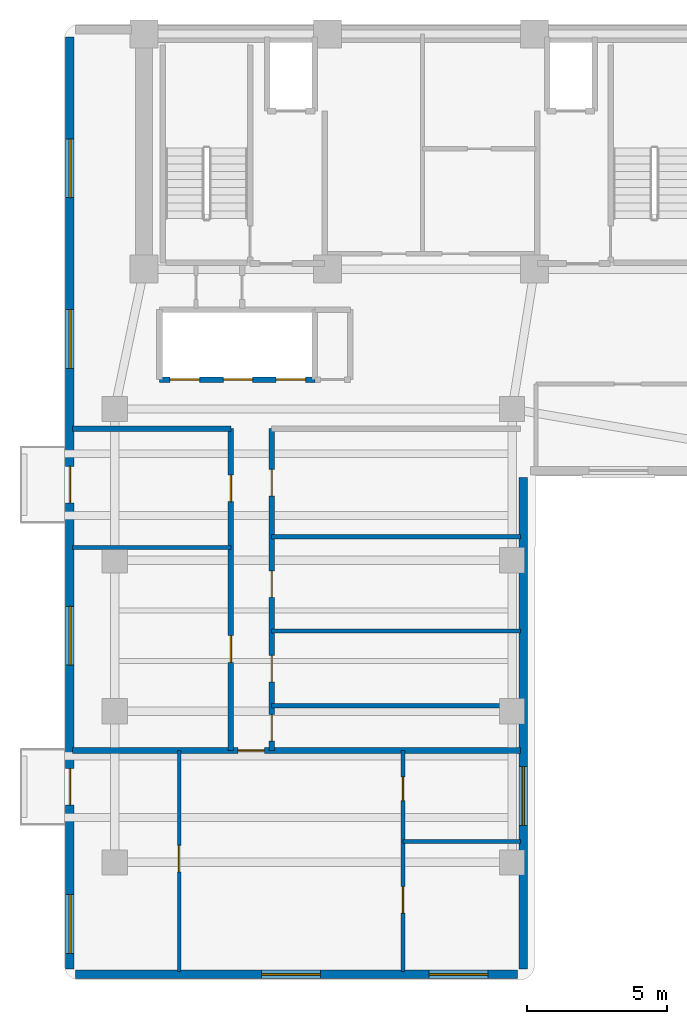
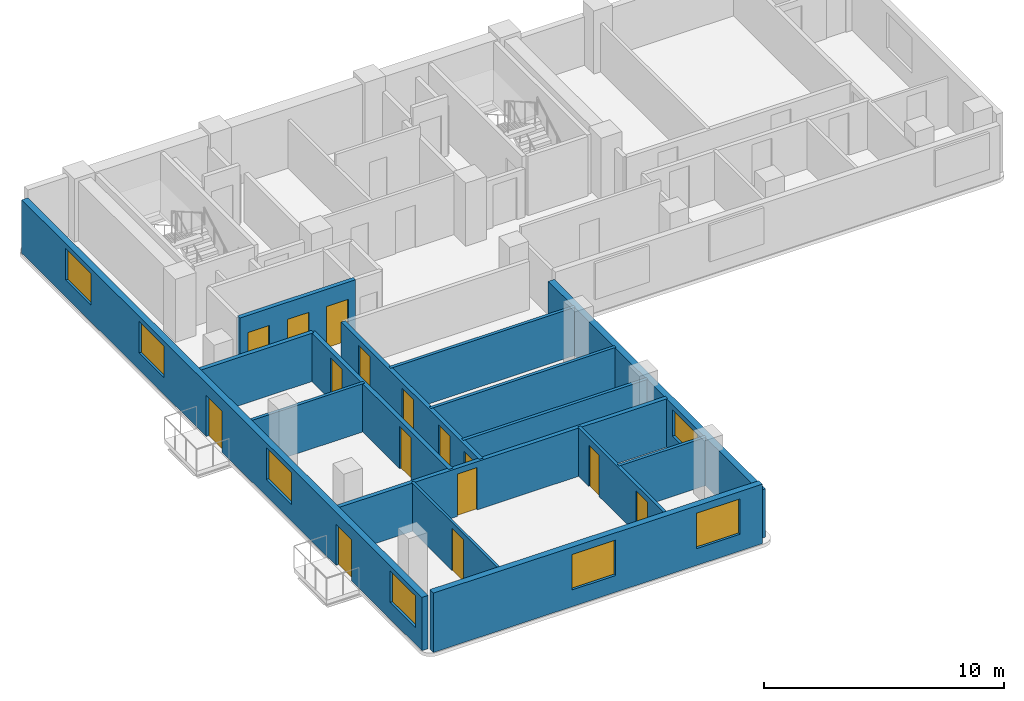
# One storey, part 2 of 6: 15 doors, 15 walls, 7 windows, 22 openings.
"""IFC4 building model written with IfcOpenShell, lengths in metres."""

from ifc_helpers import new_model, si_unit, direction, frame, frame_2d, origin, place, context, subcontext, project, spatial, rectangle, extrude, material, layer, layer_set, type_object, element, fill, save


model = new_model("IFC4")

# Units and contexts
model_context = context("Model", 3, precision=1e-05, world=origin(), true_north=direction((0.0, 1.0)))
body_context = subcontext(model_context, "Body", "Model", "MODEL_VIEW")
ifc_project = project(units=[si_unit("LENGTHUNIT", "METRE"), si_unit("AREAUNIT", "SQUARE_METRE"), si_unit("VOLUMEUNIT", "CUBIC_METRE"), si_unit("PLANEANGLEUNIT", "RADIAN"), si_unit("MASSUNIT", "GRAM", prefix="KILO")], contexts=[model_context])

# Site, building, storey
site_placement = place(None, origin())
site = spatial("IfcSite", under=ifc_project, at=site_placement, CompositionType="ELEMENT")
building_placement = place(site_placement, origin())
building = spatial("IfcBuilding", under=site, at=building_placement, Name="Kuzgunbayir Cultural Tower", CompositionType="ELEMENT")
storey_placement = place(building_placement, frame((0.0, 0.0, 182.39990234375)))
storey = spatial("IfcBuildingStorey", under=building, at=storey_placement, Name="L53", CompositionType="ELEMENT", Elevation=182.39990234375)

# Wall, openings, windows
ifc_material_1 = material(Name="Anatolian Cream Limestone", Category="masonry")
ifc_layer_1 = layer(ifc_material_1, 0.300048828125)
ifc_layer_set_1 = layer_set([ifc_layer_1], Name="Anatolian Cream Limestone")
wall_type_1 = type_object("IfcWallType", Name="WAL-EXT-STONE-300", PredefinedType="STANDARD", material=ifc_layer_set_1)
wall_1_placement = place(storey_placement, frame((4.0, 8.60009765625, 0.0), z_axis=(0.0, 0.0, 1.0), x_axis=(1.0, 0.0, 0.0)))
wall_1 = element("IfcWall", 1, at=wall_1_placement, inside=storey, type_object=wall_type_1, Name="L53 Wing A South Limestone Wall", PredefinedType="STANDARD", context=body_context, shape_type="SweptSolid", body=[
    extrude(rectangle(XDim=15.800048828125, YDim=0.300048828125, at=frame_2d((7.89990234375, 0.0))), origin(), (0.0, 0.0, 1.0), 3.02001953125),
])
opening_1_placement = place(wall_1_placement, frame((6.64990234375, 0.0, 0.85009765625)))
opening_1 = element("IfcOpeningElement", 2, at=opening_1_placement, cuts=wall_1, Name="Opening WR-21", PredefinedType="OPENING", context=body_context, shape_type="SweptSolid", body=[
    extrude(rectangle(XDim=2.10009765625, YDim=1.800048828125, at=frame_2d((1.050048828125, 0.89990234375))), frame((0.0, 0.16015625, 0.0), z_axis=(0.0, -1.0, 0.0), x_axis=(1.0, 0.0, 0.0)), (0.0, 0.0, 1.0), 0.320068359375),
])
opening_2_placement = place(wall_1_placement, frame((12.6298828125, 0.0, 0.85009765625)))
opening_2 = element("IfcOpeningElement", 3, at=opening_2_placement, cuts=wall_1, Name="Opening WR-21", PredefinedType="OPENING", context=body_context, shape_type="SweptSolid", body=[
    extrude(rectangle(XDim=2.10009765625, YDim=1.800048828125, at=frame_2d((1.050048828125, 0.89990234375))), frame((0.0, 0.16015625, 0.0), z_axis=(0.0, -1.0, 0.0), x_axis=(1.0, 0.0, 0.0)), (0.0, 0.0, 1.0), 0.320068359375),
])
ifc_material_2 = material(Name="Solar-Control Triple Glazing", Category="glass")
window_type = type_object("IfcWindowType", Name="WIN-RESID-21", PartitioningType="SINGLE_PANEL", PredefinedType="WINDOW", material=ifc_material_2)
window_1_placement = place(opening_1_placement, origin())
window_1 = element("IfcWindow", 4, at=window_1_placement, inside=storey, type_object=window_type, Name="L53 WAS Facade Window 1", OverallHeight=1.800048828125, OverallWidth=2.10009765625, PartitioningType="SINGLE_PANEL", PredefinedType="WINDOW", context=body_context, shape_type="SweptSolid", body=[
    extrude(rectangle(XDim=2.10009765625, YDim=1.800048828125, at=frame_2d((1.050048828125, 0.89990234375))), frame((0.0, 0.030029296875, 0.0), z_axis=(0.0, -1.0, 0.0), x_axis=(1.0, 0.0, 0.0)), (0.0, 0.0, 1.0), 0.06005859375),
])
fill(opening_1, window_1)
window_2_placement = place(opening_2_placement, origin())
window_2 = element("IfcWindow", 5, at=window_2_placement, inside=storey, type_object=window_type, Name="L53 WAS Facade Window 2", OverallHeight=1.800048828125, OverallWidth=2.10009765625, PartitioningType="SINGLE_PANEL", PredefinedType="WINDOW", context=body_context, shape_type="SweptSolid", body=[
    extrude(rectangle(XDim=2.10009765625, YDim=1.800048828125, at=frame_2d((1.050048828125, 0.89990234375))), frame((0.0, 0.030029296875, 0.0), z_axis=(0.0, -1.0, 0.0), x_axis=(1.0, 0.0, 0.0)), (0.0, 0.0, 1.0), 0.06005859375),
])
fill(opening_2, window_2)

# Wall, openings, doors, windows
wall_2_placement = place(storey_placement, frame((3.800048828125, 42.10009765625, 0.0), z_axis=(0.0, 0.0, 1.0), x_axis=(0.0, -1.0, 0.0)))
wall_2 = element("IfcWall", 6, at=wall_2_placement, inside=storey, type_object=wall_type_1, Name="L53 Wing A West Limestone Wall", PredefinedType="STANDARD", context=body_context, shape_type="SweptSolid", body=[
    extrude(rectangle(XDim=33.300048828125, YDim=0.300048828125, at=frame_2d((16.64990234375, 0.0))), origin(), (0.0, 0.0, 1.0), 2.710205078125),
])
opening_3_placement = place(wall_2_placement, frame((26.14990234375, 0.0, 0.0)))
opening_3 = element("IfcOpeningElement", 7, at=opening_3_placement, cuts=wall_2, Name="Opening BD-13", PredefinedType="OPENING", context=body_context, shape_type="SweptSolid", body=[
    extrude(rectangle(XDim=1.300048828125, YDim=2.080078125, at=frame_2d((0.64990234375, 1.0400390625))), frame((0.0, 0.16015625, 0.0), z_axis=(0.0, -1.0, 0.0), x_axis=(1.0, 0.0, 0.0)), (0.0, 0.0, 1.0), 0.320068359375),
])
opening_4_placement = place(wall_2_placement, frame((15.35009765625, 0.0, 0.0)))
opening_4 = element("IfcOpeningElement", 8, at=opening_4_placement, cuts=wall_2, Name="Opening BD-13", PredefinedType="OPENING", context=body_context, shape_type="SweptSolid", body=[
    extrude(rectangle(XDim=1.300048828125, YDim=2.080078125, at=frame_2d((0.64990234375, 1.0400390625))), frame((0.0, 0.16015625, 0.0), z_axis=(0.0, -1.0, 0.0), x_axis=(1.0, 0.0, 0.0)), (0.0, 0.0, 1.0), 0.320068359375),
])
opening_5_placement = place(wall_2_placement, frame((30.64990234375, 0.0, 0.85009765625)))
opening_5 = element("IfcOpeningElement", 9, at=opening_5_placement, cuts=wall_2, Name="Opening WR-21", PredefinedType="OPENING", context=body_context, shape_type="SweptSolid", body=[
    extrude(rectangle(XDim=2.10009765625, YDim=1.610107421875, at=frame_2d((1.050048828125, 0.80517578125))), frame((0.0, 0.16015625, 0.0), z_axis=(0.0, -1.0, 0.0), x_axis=(1.0, 0.0, 0.0)), (0.0, 0.0, 1.0), 0.320068359375),
])
opening_6_placement = place(wall_2_placement, frame((20.35009765625, 0.0, 0.85009765625)))
opening_6 = element("IfcOpeningElement", 10, at=opening_6_placement, cuts=wall_2, Name="Opening WR-21", PredefinedType="OPENING", context=body_context, shape_type="SweptSolid", body=[
    extrude(rectangle(XDim=2.10009765625, YDim=1.610107421875, at=frame_2d((1.050048828125, 0.80517578125))), frame((0.0, 0.16015625, 0.0), z_axis=(0.0, -1.0, 0.0), x_axis=(1.0, 0.0, 0.0)), (0.0, 0.0, 1.0), 0.320068359375),
])
opening_7_placement = place(wall_2_placement, frame((9.75, 0.0, 0.85009765625)))
opening_7 = element("IfcOpeningElement", 11, at=opening_7_placement, cuts=wall_2, Name="Opening WR-21", PredefinedType="OPENING", context=body_context, shape_type="SweptSolid", body=[
    extrude(rectangle(XDim=2.10009765625, YDim=1.610107421875, at=frame_2d((1.050048828125, 0.80517578125))), frame((0.0, 0.16015625, 0.0), z_axis=(0.0, -1.0, 0.0), x_axis=(1.0, 0.0, 0.0)), (0.0, 0.0, 1.0), 0.320068359375),
])
opening_8_placement = place(wall_2_placement, frame((3.64990234375, 0.0, 0.85009765625)))
opening_8 = element("IfcOpeningElement", 12, at=opening_8_placement, cuts=wall_2, Name="Opening WR-21", PredefinedType="OPENING", context=body_context, shape_type="SweptSolid", body=[
    extrude(rectangle(XDim=2.10009765625, YDim=1.610107421875, at=frame_2d((1.050048828125, 0.80517578125))), frame((0.0, 0.16015625, 0.0), z_axis=(0.0, -1.0, 0.0), x_axis=(1.0, 0.0, 0.0)), (0.0, 0.0, 1.0), 0.320068359375),
])
ifc_material_3 = material(Name="Thermally Broken Glazed Aluminium", Category="aluminium")
door_type_1 = type_object("IfcDoorType", Name="DR-BALCONY-135", OperationType="SLIDING_TO_LEFT", PredefinedType="DOOR", material=ifc_material_3)
door_1_placement = place(opening_3_placement, origin())
door_1 = element("IfcDoor", 13, at=door_1_placement, inside=storey, type_object=door_type_1, Name="L53 West Balcony Sliding Door BAL-L53-WA1", OperationType="SLIDING_TO_LEFT", OverallHeight=2.080078125, OverallWidth=1.300048828125, PredefinedType="DOOR", context=body_context, shape_type="SweptSolid", body=[
    extrude(rectangle(XDim=1.300048828125, YDim=2.080078125, at=frame_2d((0.64990234375, 1.0400390625))), frame((0.0, 0.02490234375, 0.0), z_axis=(0.0, -1.0, 0.0), x_axis=(1.0, 0.0, 0.0)), (0.0, 0.0, 1.0), 0.050048828125),
])
fill(opening_3, door_1)
door_2_placement = place(opening_4_placement, origin())
door_2 = element("IfcDoor", 14, at=door_2_placement, inside=storey, type_object=door_type_1, Name="L53 West Balcony Sliding Door BAL-L53-WA3", OperationType="SLIDING_TO_LEFT", OverallHeight=2.080078125, OverallWidth=1.300048828125, PredefinedType="DOOR", context=body_context, shape_type="SweptSolid", body=[
    extrude(rectangle(XDim=1.300048828125, YDim=2.080078125, at=frame_2d((0.64990234375, 1.0400390625))), frame((0.0, 0.02490234375, 0.0), z_axis=(0.0, -1.0, 0.0), x_axis=(1.0, 0.0, 0.0)), (0.0, 0.0, 1.0), 0.050048828125),
])
fill(opening_4, door_2)
window_3_placement = place(opening_5_placement, origin())
window_3 = element("IfcWindow", 15, at=window_3_placement, inside=storey, type_object=window_type, Name="L53 WAW Facade Window 8", OverallHeight=1.610107421875, OverallWidth=2.10009765625, PartitioningType="SINGLE_PANEL", PredefinedType="WINDOW", context=body_context, shape_type="SweptSolid", body=[
    extrude(rectangle(XDim=2.10009765625, YDim=1.610107421875, at=frame_2d((1.050048828125, 0.80517578125))), frame((0.0, 0.030029296875, 0.0), z_axis=(0.0, -1.0, 0.0), x_axis=(1.0, 0.0, 0.0)), (0.0, 0.0, 1.0), 0.06005859375),
])
fill(opening_5, window_3)
window_4_placement = place(opening_6_placement, origin())
window_4 = element("IfcWindow", 16, at=window_4_placement, inside=storey, type_object=window_type, Name="L53 WAW Facade Window 9", OverallHeight=1.610107421875, OverallWidth=2.10009765625, PartitioningType="SINGLE_PANEL", PredefinedType="WINDOW", context=body_context, shape_type="SweptSolid", body=[
    extrude(rectangle(XDim=2.10009765625, YDim=1.610107421875, at=frame_2d((1.050048828125, 0.80517578125))), frame((0.0, 0.030029296875, 0.0), z_axis=(0.0, -1.0, 0.0), x_axis=(1.0, 0.0, 0.0)), (0.0, 0.0, 1.0), 0.06005859375),
])
fill(opening_6, window_4)
window_5_placement = place(opening_7_placement, origin())
window_5 = element("IfcWindow", 17, at=window_5_placement, inside=storey, type_object=window_type, Name="L53 WAW Facade Window 10", OverallHeight=1.610107421875, OverallWidth=2.10009765625, PartitioningType="SINGLE_PANEL", PredefinedType="WINDOW", context=body_context, shape_type="SweptSolid", body=[
    extrude(rectangle(XDim=2.10009765625, YDim=1.610107421875, at=frame_2d((1.050048828125, 0.80517578125))), frame((0.0, 0.030029296875, 0.0), z_axis=(0.0, -1.0, 0.0), x_axis=(1.0, 0.0, 0.0)), (0.0, 0.0, 1.0), 0.06005859375),
])
fill(opening_7, window_5)
window_6_placement = place(opening_8_placement, origin())
window_6 = element("IfcWindow", 18, at=window_6_placement, inside=storey, type_object=window_type, Name="L53 WAW Facade Window 11", OverallHeight=1.610107421875, OverallWidth=2.10009765625, PartitioningType="SINGLE_PANEL", PredefinedType="WINDOW", context=body_context, shape_type="SweptSolid", body=[
    extrude(rectangle(XDim=2.10009765625, YDim=1.610107421875, at=frame_2d((1.050048828125, 0.80517578125))), frame((0.0, 0.030029296875, 0.0), z_axis=(0.0, -1.0, 0.0), x_axis=(1.0, 0.0, 0.0)), (0.0, 0.0, 1.0), 0.06005859375),
])
fill(opening_8, window_6)

# Wall, opening, window
wall_3_placement = place(storey_placement, frame((20.0, 8.800048828125, 0.0), z_axis=(0.0, 0.0, 1.0), x_axis=(0.0, 1.0, 0.0)))
wall_3 = element("IfcWall", 19, at=wall_3_placement, inside=storey, type_object=wall_type_1, Name="L53 Wing A East Limestone Wall", PredefinedType="STANDARD", context=body_context, shape_type="SweptSolid", body=[
    extrude(rectangle(XDim=17.550048828125, YDim=0.300048828125, at=frame_2d((8.77490234375, 0.0))), origin(), (0.0, 0.0, 1.0), 2.4501953125),
])
opening_9_placement = place(wall_3_placement, frame((5.1201171875, 0.0, 0.85009765625)))
opening_9 = element("IfcOpeningElement", 20, at=opening_9_placement, cuts=wall_3, Name="Opening WR-21", PredefinedType="OPENING", context=body_context, shape_type="SweptSolid", body=[
    extrude(rectangle(XDim=2.10009765625, YDim=1.35009765625, at=frame_2d((1.050048828125, 0.675048828125))), frame((0.0, 0.16015625, 0.0), z_axis=(0.0, -1.0, 0.0), x_axis=(1.0, 0.0, 0.0)), (0.0, 0.0, 1.0), 0.320068359375),
])
window_7_placement = place(opening_9_placement, origin())
window_7 = element("IfcWindow", 21, at=window_7_placement, inside=storey, type_object=window_type, Name="L53 WAE Facade Window 3", OverallHeight=1.35009765625, OverallWidth=2.10009765625, PartitioningType="SINGLE_PANEL", PredefinedType="WINDOW", context=body_context, shape_type="SweptSolid", body=[
    extrude(rectangle(XDim=2.10009765625, YDim=1.35009765625, at=frame_2d((1.050048828125, 0.675048828125))), frame((0.0, 0.030029296875, 0.0), z_axis=(0.0, -1.0, 0.0), x_axis=(1.0, 0.0, 0.0)), (0.0, 0.0, 1.0), 0.06005859375),
])
fill(opening_9, window_7)

# Walls
ifc_material_4 = material(Name="Acoustic Double-Stud Drywall", Category="gypsum")
ifc_layer_2 = layer(ifc_material_4, 0.14990234375)
ifc_layer_set_2 = layer_set([ifc_layer_2], Name="Acoustic Double-Stud Drywall")
wall_type_2 = type_object("IfcWallType", Name="WAL-PART-ACOUSTIC-150", PredefinedType="PARTITIONING", material=ifc_layer_set_2)
wall_4_placement = place(storey_placement, frame((3.89990234375, 23.85009765625, 0.0), z_axis=(0.0, 0.0, 1.0), x_axis=(1.0, 0.0, 0.0)))
element("IfcWall", 22, at=wall_4_placement, inside=storey, type_object=wall_type_2, Name="L53 West Study Partition 1", PredefinedType="PARTITIONING", context=body_context, shape_type="SweptSolid", body=[
    extrude(rectangle(XDim=5.650146484375, YDim=0.14990234375, at=frame_2d((2.8251953125, 0.0))), origin(), (0.0, 0.0, 1.0), 2.4501953125),
])
for number, where, z_axis, x_axis, name in (
    (23, (11.010009765625, 20.8701171875, 0.0), (0.0, 0.0, 1.0), (1.0, 0.0, 0.0), "L53 East Divider 1"),
    (24, (11.010009765625, 24.239990234375, 0.0), (0.0, 0.0, 1.0), (1.0, 0.0, 0.0), "L53 East Divider 2"),
):
    element("IfcWall", number, at=place(storey_placement, frame(where, z_axis=z_axis, x_axis=x_axis)), inside=storey, type_object=wall_type_2, Name=name, PredefinedType="PARTITIONING", context=body_context, shape_type="SweptSolid", body=[
        extrude(rectangle(XDim=8.889892578125, YDim=0.14990234375, at=frame_2d((4.44482421875, 0.0))), origin(), (0.0, 0.0, 1.0), 2.4501953125),
    ])

# Wall, openings, doors
ifc_material_5 = material(Name="Aerated Concrete Blockwork", Category="masonry")
ifc_layer_3 = layer(ifc_material_5, 0.199951171875)
ifc_layer_set_3 = layer_set([ifc_layer_3], Name="Aerated Concrete Blockwork")
wall_type_3 = type_object("IfcWallType", Name="WAL-PART-FIRE-200", PredefinedType="PARTITIONING", material=ifc_layer_set_3)
wall_5_placement = place(storey_placement, frame((9.550048828125, 16.60009765625, 0.0), z_axis=(0.0, 0.0, 1.0), x_axis=(0.0, 1.0, 0.0)))
wall_5 = element("IfcWall", 25, at=wall_5_placement, inside=storey, type_object=wall_type_3, Name="L53 Wing A West Corridor Wall", PredefinedType="PARTITIONING", context=body_context, shape_type="SweptSolid", body=[
    extrude(rectangle(XDim=11.5, YDim=0.199951171875, at=frame_2d((5.75, 0.0))), origin(), (0.0, 0.0, 1.0), 2.4501953125),
])
opening_10_placement = place(wall_5_placement, frame((3.14990234375, 0.0, 0.0)))
opening_10 = element("IfcOpeningElement", 26, at=opening_10_placement, cuts=wall_5, Name="Opening DI-90", PredefinedType="OPENING", context=body_context, shape_type="SweptSolid", body=[
    extrude(rectangle(XDim=0.949951171875, YDim=2.14990234375, at=frame_2d((0.47509765625, 1.074951171875))), frame((0.0, 0.10986328125, 0.0), z_axis=(0.0, -1.0, 0.0), x_axis=(1.0, 0.0, 0.0)), (0.0, 0.0, 1.0), 0.219970703125),
])
opening_11_placement = place(wall_5_placement, frame((8.889892578125, 0.0, 0.0)))
opening_11 = element("IfcOpeningElement", 27, at=opening_11_placement, cuts=wall_5, Name="Opening DI-90", PredefinedType="OPENING", context=body_context, shape_type="SweptSolid", body=[
    extrude(rectangle(XDim=0.949951171875, YDim=2.14990234375, at=frame_2d((0.47509765625, 1.074951171875))), frame((0.0, 0.10986328125, 0.0), z_axis=(0.0, -1.0, 0.0), x_axis=(1.0, 0.0, 0.0)), (0.0, 0.0, 1.0), 0.219970703125),
])
ifc_material_6 = material(Name="Veneered Oak Single Leaf", Category="wood")
door_type_2 = type_object("IfcDoorType", Name="DR-INT-90", OperationType="NOTDEFINED", PredefinedType="DOOR", material=ifc_material_6)
door_3_placement = place(opening_10_placement, origin())
door_3 = element("IfcDoor", 28, at=door_3_placement, inside=storey, type_object=door_type_2, Name="L53 Fellows Reading Lounge W1 Door", OperationType="SINGLE_SWING_RIGHT", OverallHeight=2.14990234375, OverallWidth=0.949951171875, PredefinedType="DOOR", context=body_context, shape_type="SweptSolid", body=[
    extrude(rectangle(XDim=0.949951171875, YDim=2.14990234375, at=frame_2d((0.47509765625, 1.074951171875))), frame((0.0, 0.02490234375, 0.0), z_axis=(0.0, -1.0, 0.0), x_axis=(1.0, 0.0, 0.0)), (0.0, 0.0, 1.0), 0.050048828125),
])
fill(opening_10, door_3)
door_4_placement = place(opening_11_placement, origin())
door_4 = element("IfcDoor", 29, at=door_4_placement, inside=storey, type_object=door_type_2, Name="L53 Seminar Boardroom W2 Door", OperationType="SINGLE_SWING_LEFT", OverallHeight=2.14990234375, OverallWidth=0.949951171875, PredefinedType="DOOR", context=body_context, shape_type="SweptSolid", body=[
    extrude(rectangle(XDim=0.949951171875, YDim=2.14990234375, at=frame_2d((0.47509765625, 1.074951171875))), frame((0.0, 0.02490234375, 0.0), z_axis=(0.0, -1.0, 0.0), x_axis=(1.0, 0.0, 0.0)), (0.0, 0.0, 1.0), 0.050048828125),
])
fill(opening_11, door_4)

wall_6_placement = place(storey_placement, frame((11.010009765625, 16.60009765625, 0.0), z_axis=(0.0, 0.0, 1.0), x_axis=(0.0, 1.0, 0.0)))
wall_6 = element("IfcWall", 30, at=wall_6_placement, inside=storey, type_object=wall_type_3, Name="L53 Wing A East Corridor Wall", PredefinedType="PARTITIONING", context=body_context, shape_type="SweptSolid", body=[
    extrude(rectangle(XDim=11.5, YDim=0.199951171875, at=frame_2d((5.75, 0.0))), origin(), (0.0, 0.0, 1.0), 2.4501953125),
])
opening_12_placement = place(wall_6_placement, frame((0.330078125, 0.0, 0.0)))
opening_12 = element("IfcOpeningElement", 31, at=opening_12_placement, cuts=wall_6, Name="Opening DW-95", PredefinedType="OPENING", context=body_context, shape_type="SweptSolid", body=[
    extrude(rectangle(XDim=0.949951171875, YDim=2.10009765625, at=frame_2d((0.47509765625, 1.050048828125))), frame((0.0, 0.10986328125, 0.0), z_axis=(0.0, -1.0, 0.0), x_axis=(1.0, 0.0, 0.0)), (0.0, 0.0, 1.0), 0.219970703125),
])
opening_13_placement = place(wall_6_placement, frame((2.449951171875, 0.0, 0.0)))
opening_13 = element("IfcOpeningElement", 32, at=opening_13_placement, cuts=wall_6, Name="Opening DI-90", PredefinedType="OPENING", context=body_context, shape_type="SweptSolid", body=[
    extrude(rectangle(XDim=0.949951171875, YDim=2.14990234375, at=frame_2d((0.47509765625, 1.074951171875))), frame((0.0, 0.10986328125, 0.0), z_axis=(0.0, -1.0, 0.0), x_axis=(1.0, 0.0, 0.0)), (0.0, 0.0, 1.0), 0.219970703125),
])
opening_14_placement = place(wall_6_placement, frame((5.469970703125, 0.0, 0.0)))
opening_14 = element("IfcOpeningElement", 33, at=opening_14_placement, cuts=wall_6, Name="Opening DI-90", PredefinedType="OPENING", context=body_context, shape_type="SweptSolid", body=[
    extrude(rectangle(XDim=0.949951171875, YDim=2.14990234375, at=frame_2d((0.47509765625, 1.074951171875))), frame((0.0, 0.10986328125, 0.0), z_axis=(0.0, -1.0, 0.0), x_axis=(1.0, 0.0, 0.0)), (0.0, 0.0, 1.0), 0.219970703125),
])
opening_15_placement = place(wall_6_placement, frame((9.090087890625, 0.0, 0.0)))
opening_15 = element("IfcOpeningElement", 34, at=opening_15_placement, cuts=wall_6, Name="Opening DI-90", PredefinedType="OPENING", context=body_context, shape_type="SweptSolid", body=[
    extrude(rectangle(XDim=0.949951171875, YDim=2.14990234375, at=frame_2d((0.47509765625, 1.074951171875))), frame((0.0, 0.10986328125, 0.0), z_axis=(0.0, -1.0, 0.0), x_axis=(1.0, 0.0, 0.0)), (0.0, 0.0, 1.0), 0.219970703125),
])
door_5_placement = place(opening_13_placement, origin())
door_5 = element("IfcDoor", 35, at=door_5_placement, inside=storey, type_object=door_type_2, Name="L53 East Fellows Reading Lounge E1 Door", OperationType="SINGLE_SWING_LEFT", OverallHeight=2.14990234375, OverallWidth=0.949951171875, PredefinedType="DOOR", context=body_context, shape_type="SweptSolid", body=[
    extrude(rectangle(XDim=0.949951171875, YDim=2.14990234375, at=frame_2d((0.47509765625, 1.074951171875))), frame((0.0, 0.02490234375, 0.0), z_axis=(0.0, -1.0, 0.0), x_axis=(1.0, 0.0, 0.0)), (0.0, 0.0, 1.0), 0.050048828125),
])
fill(opening_13, door_5)
door_6_placement = place(opening_14_placement, origin())
door_6 = element("IfcDoor", 36, at=door_6_placement, inside=storey, type_object=door_type_2, Name="L53 East Culinary Tasting Pantry E2 Door", OperationType="SINGLE_SWING_RIGHT", OverallHeight=2.14990234375, OverallWidth=0.949951171875, PredefinedType="DOOR", context=body_context, shape_type="SweptSolid", body=[
    extrude(rectangle(XDim=0.949951171875, YDim=2.14990234375, at=frame_2d((0.47509765625, 1.074951171875))), frame((0.0, 0.02490234375, 0.0), z_axis=(0.0, -1.0, 0.0), x_axis=(1.0, 0.0, 0.0)), (0.0, 0.0, 1.0), 0.050048828125),
])
fill(opening_14, door_6)
door_7_placement = place(opening_15_placement, origin())
door_7 = element("IfcDoor", 37, at=door_7_placement, inside=storey, type_object=door_type_2, Name="L53 East Fellows Reading Lounge E3 Door", OperationType="SINGLE_SWING_LEFT", OverallHeight=2.14990234375, OverallWidth=0.949951171875, PredefinedType="DOOR", context=body_context, shape_type="SweptSolid", body=[
    extrude(rectangle(XDim=0.949951171875, YDim=2.14990234375, at=frame_2d((0.47509765625, 1.074951171875))), frame((0.0, 0.02490234375, 0.0), z_axis=(0.0, -1.0, 0.0), x_axis=(1.0, 0.0, 0.0)), (0.0, 0.0, 1.0), 0.050048828125),
])
fill(opening_15, door_7)
ifc_material_7 = material(Name="Laminate Moisture-Resistant Leaf", Category="wood")
door_type_3 = type_object("IfcDoorType", Name="DR-WET-95", OperationType="NOTDEFINED", PredefinedType="DOOR", material=ifc_material_7)
door_8_placement = place(opening_12_placement, origin())
door_8 = element("IfcDoor", 38, at=door_8_placement, inside=storey, type_object=door_type_3, Name="L53 Visitor Accessible WC Door", OperationType="SINGLE_SWING_RIGHT", OverallHeight=2.10009765625, OverallWidth=0.949951171875, PredefinedType="DOOR", context=body_context, shape_type="SweptSolid", body=[
    extrude(rectangle(XDim=0.949951171875, YDim=2.10009765625, at=frame_2d((0.47509765625, 1.050048828125))), frame((0.0, 0.02490234375, 0.0), z_axis=(0.0, -1.0, 0.0), x_axis=(1.0, 0.0, 0.0)), (0.0, 0.0, 1.0), 0.050048828125),
])
fill(opening_12, door_8)

# Wall, opening, door
wall_7_placement = place(storey_placement, frame((3.89990234375, 16.60009765625, 0.0), z_axis=(0.0, 0.0, 1.0), x_axis=(1.0, 0.0, 0.0)))
wall_7 = element("IfcWall", 39, at=wall_7_placement, inside=storey, type_object=wall_type_3, Name="L53 South Cross Partition", PredefinedType="PARTITIONING", context=body_context, shape_type="SweptSolid", body=[
    extrude(rectangle(XDim=16.0, YDim=0.199951171875, at=frame_2d((8.0, 0.0))), origin(), (0.0, 0.0, 1.0), 2.4501953125),
])
opening_16_placement = place(wall_7_placement, frame((5.89990234375, 0.0, 0.0)))
opening_16 = element("IfcOpeningElement", 40, at=opening_16_placement, cuts=wall_7, Name="Opening DR-APT-60", PredefinedType="OPENING", context=body_context, shape_type="SweptSolid", body=[
    extrude(rectangle(XDim=0.949951171875, YDim=2.14990234375, at=frame_2d((0.47509765625, 1.074951171875))), frame((0.0, 0.10986328125, 0.0), z_axis=(0.0, -1.0, 0.0), x_axis=(1.0, 0.0, 0.0)), (0.0, 0.0, 1.0), 0.219970703125),
])
ifc_material_8 = material(Name="Acoustic Fire Timber Leaf", Category="wood")
door_type_4 = type_object("IfcDoorType", Name="DR-APT-60", OperationType="NOTDEFINED", PredefinedType="DOOR", material=ifc_material_8)
door_9_placement = place(opening_16_placement, origin())
door_9 = element("IfcDoor", 41, at=door_9_placement, inside=storey, type_object=door_type_4, Name="L53 Apartment A Entrance", OperationType="SINGLE_SWING_RIGHT", OverallHeight=2.14990234375, OverallWidth=0.949951171875, PredefinedType="DOOR", context=body_context, shape_type="SweptSolid", body=[
    extrude(rectangle(XDim=0.949951171875, YDim=2.14990234375, at=frame_2d((0.47509765625, 1.074951171875))), frame((0.0, 0.02490234375, 0.0), z_axis=(0.0, -1.0, 0.0), x_axis=(1.0, 0.0, 0.0)), (0.0, 0.0, 1.0), 0.050048828125),
])
fill(opening_16, door_9)

# Wall
wall_8_placement = place(storey_placement, frame((3.89990234375, 28.10009765625, 0.0), z_axis=(0.0, 0.0, 1.0), x_axis=(1.0, 0.0, 0.0)))
element("IfcWall", 42, at=wall_8_placement, inside=storey, type_object=wall_type_3, Name="L53 North West Partition", PredefinedType="PARTITIONING", context=body_context, shape_type="SweptSolid", body=[
    extrude(rectangle(XDim=5.650146484375, YDim=0.199951171875, at=frame_2d((2.8251953125, 0.0))), origin(), (0.0, 0.0, 1.0), 2.4501953125),
])

# Wall, opening, door
ifc_material_9 = material(Name="Framed Gypsum Partition", Category="gypsum")
ifc_layer_4 = layer(ifc_material_9, 0.1201171875)
ifc_layer_set_4 = layer_set([ifc_layer_4], Name="Framed Gypsum Partition")
wall_type_4 = type_object("IfcWallType", Name="WAL-PART-INT-120", PredefinedType="PARTITIONING", material=ifc_layer_set_4)
wall_9_placement = place(storey_placement, frame((7.699951171875, 8.699951171875, 0.0), z_axis=(0.0, 0.0, 1.0), x_axis=(0.0, 1.0, 0.0)))
wall_9 = element("IfcWall", 43, at=wall_9_placement, inside=storey, type_object=wall_type_4, Name="L53 Flat A West Bedroom Wall", PredefinedType="PARTITIONING", context=body_context, shape_type="SweptSolid", body=[
    extrude(rectangle(XDim=7.900146484375, YDim=0.1201171875, at=frame_2d((3.9501953125, 0.0))), origin(), (0.0, 0.0, 1.0), 2.4501953125),
])
opening_17_placement = place(wall_9_placement, frame((3.56005859375, 0.0, 0.0)))
opening_17 = element("IfcOpeningElement", 44, at=opening_17_placement, cuts=wall_9, Name="Opening DI-90", PredefinedType="OPENING", context=body_context, shape_type="SweptSolid", body=[
    extrude(rectangle(XDim=0.949951171875, YDim=2.14990234375, at=frame_2d((0.47509765625, 1.074951171875))), frame((0.0, 0.070068359375, 0.0), z_axis=(0.0, -1.0, 0.0), x_axis=(1.0, 0.0, 0.0)), (0.0, 0.0, 1.0), 0.14013671875),
])
door_10_placement = place(opening_17_placement, origin())
door_10 = element("IfcDoor", 45, at=door_10_placement, inside=storey, type_object=door_type_2, Name="L53 Apartment A Bedroom Door", OperationType="SINGLE_SWING_LEFT", OverallHeight=2.14990234375, OverallWidth=0.949951171875, PredefinedType="DOOR", context=body_context, shape_type="SweptSolid", body=[
    extrude(rectangle(XDim=0.949951171875, YDim=2.14990234375, at=frame_2d((0.47509765625, 1.074951171875))), frame((0.0, 0.02490234375, 0.0), z_axis=(0.0, -1.0, 0.0), x_axis=(1.0, 0.0, 0.0)), (0.0, 0.0, 1.0), 0.050048828125),
])
fill(opening_17, door_10)

# Wall, openings, doors
ifc_material_10 = material(Name="Moisture-Resistant Tile Partition", Category="gypsum")
ifc_layer_5 = layer(ifc_material_10, 0.14990234375)
ifc_layer_set_5 = layer_set([ifc_layer_5], Name="Moisture-Resistant Tile Partition")
wall_type_5 = type_object("IfcWallType", Name="WAL-PART-WET-150", PredefinedType="PARTITIONING", material=ifc_layer_set_5)
wall_10_placement = place(storey_placement, frame((15.699951171875, 8.699951171875, 0.0), z_axis=(0.0, 0.0, 1.0), x_axis=(0.0, 1.0, 0.0)))
wall_10 = element("IfcWall", 46, at=wall_10_placement, inside=storey, type_object=wall_type_5, Name="L53 Flat A East Service Wall", PredefinedType="PARTITIONING", context=body_context, shape_type="SweptSolid", body=[
    extrude(rectangle(XDim=7.900146484375, YDim=0.14990234375, at=frame_2d((3.9501953125, 0.0))), origin(), (0.0, 0.0, 1.0), 2.4501953125),
])
opening_18_placement = place(wall_10_placement, frame((2.090087890625, 0.0, 0.0)))
opening_18 = element("IfcOpeningElement", 47, at=opening_18_placement, cuts=wall_10, Name="Opening DI-90", PredefinedType="OPENING", context=body_context, shape_type="SweptSolid", body=[
    extrude(rectangle(XDim=0.949951171875, YDim=2.14990234375, at=frame_2d((0.47509765625, 1.074951171875))), frame((0.0, 0.0849609375, 0.0), z_axis=(0.0, -1.0, 0.0), x_axis=(1.0, 0.0, 0.0)), (0.0, 0.0, 1.0), 0.169921875),
])
opening_19_placement = place(wall_10_placement, frame((6.110107421875, 0.0, 0.0)))
opening_19 = element("IfcOpeningElement", 48, at=opening_19_placement, cuts=wall_10, Name="Opening DW-85", PredefinedType="OPENING", context=body_context, shape_type="SweptSolid", body=[
    extrude(rectangle(XDim=0.85009765625, YDim=2.10009765625, at=frame_2d((0.425048828125, 1.050048828125))), frame((0.0, 0.0849609375, 0.0), z_axis=(0.0, -1.0, 0.0), x_axis=(1.0, 0.0, 0.0)), (0.0, 0.0, 1.0), 0.169921875),
])
door_11_placement = place(opening_18_placement, origin())
door_11 = element("IfcDoor", 49, at=door_11_placement, inside=storey, type_object=door_type_2, Name="L53 Apartment A Kitchen Door", OperationType="SINGLE_SWING_RIGHT", OverallHeight=2.14990234375, OverallWidth=0.949951171875, PredefinedType="DOOR", context=body_context, shape_type="SweptSolid", body=[
    extrude(rectangle(XDim=0.949951171875, YDim=2.14990234375, at=frame_2d((0.47509765625, 1.074951171875))), frame((0.0, 0.02490234375, 0.0), z_axis=(0.0, -1.0, 0.0), x_axis=(1.0, 0.0, 0.0)), (0.0, 0.0, 1.0), 0.050048828125),
])
fill(opening_18, door_11)
door_type_5 = type_object("IfcDoorType", Name="DR-WET-85", OperationType="NOTDEFINED", PredefinedType="DOOR", material=ifc_material_7)
door_12_placement = place(opening_19_placement, origin())
door_12 = element("IfcDoor", 50, at=door_12_placement, inside=storey, type_object=door_type_5, Name="L53 Apartment A Bathroom Door", OperationType="SINGLE_SWING_LEFT", OverallHeight=2.10009765625, OverallWidth=0.85009765625, PredefinedType="DOOR", context=body_context, shape_type="SweptSolid", body=[
    extrude(rectangle(XDim=0.85009765625, YDim=2.10009765625, at=frame_2d((0.425048828125, 1.050048828125))), frame((0.0, 0.02490234375, 0.0), z_axis=(0.0, -1.0, 0.0), x_axis=(1.0, 0.0, 0.0)), (0.0, 0.0, 1.0), 0.050048828125),
])
fill(opening_19, door_12)

# Walls
wall_11_placement = place(storey_placement, frame((15.699951171875, 13.35009765625, 0.0), z_axis=(0.0, 0.0, 1.0), x_axis=(1.0, 0.0, 0.0)))
element("IfcWall", 51, at=wall_11_placement, inside=storey, type_object=wall_type_5, Name="L53 Flat A Bath Kitchen Divider", PredefinedType="PARTITIONING", context=body_context, shape_type="SweptSolid", body=[
    extrude(rectangle(XDim=4.199951171875, YDim=0.14990234375, at=frame_2d((2.10009765625, 0.0))), origin(), (0.0, 0.0, 1.0), 2.4501953125),
])
wall_12_placement = place(storey_placement, frame((11.010009765625, 18.199951171875, 0.0), z_axis=(0.0, 0.0, 1.0), x_axis=(1.0, 0.0, 0.0)))
element("IfcWall", 52, at=wall_12_placement, inside=storey, type_object=wall_type_5, Name="L53 East Accessible WC Wall", PredefinedType="PARTITIONING", context=body_context, shape_type="SweptSolid", body=[
    extrude(rectangle(XDim=8.889892578125, YDim=0.14990234375, at=frame_2d((4.44482421875, 0.0))), origin(), (0.0, 0.0, 1.0), 2.4501953125),
])

# Wall, openings, doors
ifc_material_11 = material(Name="Concrete C40/50", Category="concrete")
ifc_layer_6 = layer(ifc_material_11, 0.199951171875)
ifc_layer_set_6 = layer_set([ifc_layer_6], Name="Concrete C40/50")
wall_type_6 = type_object("IfcWallType", Name="WAL-SHAFT-200", PredefinedType="MOVABLE", material=ifc_layer_set_6)
wall_13_placement = place(storey_placement, frame((7.0, 29.85009765625, 0.0), z_axis=(0.0, 0.0, 1.0), x_axis=(1.0, 0.0, 0.0)))
wall_13 = element("IfcWall", 53, at=wall_13_placement, inside=storey, type_object=wall_type_6, Name="L53 High-Rise Lift Shaft South Wall", PredefinedType="MOVABLE", context=body_context, shape_type="SweptSolid", body=[
    extrude(rectangle(XDim=5.550048828125, YDim=0.199951171875, at=frame_2d((2.77490234375, 0.0))), origin(), (0.0, 0.0, 1.0), 3.02001953125),
])
opening_20_placement = place(wall_13_placement, frame((0.3798828125, 0.0, 0.0)))
opening_20 = element("IfcOpeningElement", 54, at=opening_20_placement, cuts=wall_13, Name="Opening LD", PredefinedType="OPENING", context=body_context, shape_type="SweptSolid", body=[
    extrude(rectangle(XDim=1.050048828125, YDim=2.14990234375, at=frame_2d((0.52490234375, 1.074951171875))), frame((0.0, 0.10986328125, 0.0), z_axis=(0.0, -1.0, 0.0), x_axis=(1.0, 0.0, 0.0)), (0.0, 0.0, 1.0), 0.219970703125),
])
opening_21_placement = place(wall_13_placement, frame((2.280029296875, 0.0, 0.0)))
opening_21 = element("IfcOpeningElement", 55, at=opening_21_placement, cuts=wall_13, Name="Opening LD", PredefinedType="OPENING", context=body_context, shape_type="SweptSolid", body=[
    extrude(rectangle(XDim=1.050048828125, YDim=2.14990234375, at=frame_2d((0.52490234375, 1.074951171875))), frame((0.0, 0.10986328125, 0.0), z_axis=(0.0, -1.0, 0.0), x_axis=(1.0, 0.0, 0.0)), (0.0, 0.0, 1.0), 0.219970703125),
])
opening_22_placement = place(wall_13_placement, frame((4.169921875, 0.0, 0.0)))
opening_22 = element("IfcOpeningElement", 56, at=opening_22_placement, cuts=wall_13, Name="Opening LD", PredefinedType="OPENING", context=body_context, shape_type="SweptSolid", body=[
    extrude(rectangle(XDim=1.050048828125, YDim=2.14990234375, at=frame_2d((0.52490234375, 1.074951171875))), frame((0.0, 0.10986328125, 0.0), z_axis=(0.0, -1.0, 0.0), x_axis=(1.0, 0.0, 0.0)), (0.0, 0.0, 1.0), 0.219970703125),
])
ifc_material_12 = material(Name="Brushed Stainless Steel", Category="steel")
door_type_6 = type_object("IfcDoorType", Name="DR-LIFT-LANDING", OperationType="SLIDING_TO_LEFT", PredefinedType="DOOR", material=ifc_material_12)
door_13_placement = place(opening_20_placement, origin())
door_13 = element("IfcDoor", 57, at=door_13_placement, inside=storey, type_object=door_type_6, Name="L53 Lift PH-1 Landing Door", OperationType="SLIDING_TO_LEFT", OverallHeight=2.14990234375, OverallWidth=1.050048828125, PredefinedType="DOOR", context=body_context, shape_type="SweptSolid", body=[
    extrude(rectangle(XDim=1.050048828125, YDim=2.14990234375, at=frame_2d((0.52490234375, 1.074951171875))), frame((0.0, 0.02490234375, 0.0), z_axis=(0.0, -1.0, 0.0), x_axis=(1.0, 0.0, 0.0)), (0.0, 0.0, 1.0), 0.050048828125),
])
fill(opening_20, door_13)
door_14_placement = place(opening_21_placement, origin())
door_14 = element("IfcDoor", 58, at=door_14_placement, inside=storey, type_object=door_type_6, Name="L53 Lift PH-2 Landing Door", OperationType="SLIDING_TO_LEFT", OverallHeight=2.14990234375, OverallWidth=1.050048828125, PredefinedType="DOOR", context=body_context, shape_type="SweptSolid", body=[
    extrude(rectangle(XDim=1.050048828125, YDim=2.14990234375, at=frame_2d((0.52490234375, 1.074951171875))), frame((0.0, 0.02490234375, 0.0), z_axis=(0.0, -1.0, 0.0), x_axis=(1.0, 0.0, 0.0)), (0.0, 0.0, 1.0), 0.050048828125),
])
fill(opening_21, door_14)
door_15_placement = place(opening_22_placement, origin())
door_15 = element("IfcDoor", 59, at=door_15_placement, inside=storey, type_object=door_type_6, Name="L53 Lift PH-3 Landing Door", OperationType="SLIDING_TO_LEFT", OverallHeight=2.14990234375, OverallWidth=1.050048828125, PredefinedType="DOOR", context=body_context, shape_type="SweptSolid", body=[
    extrude(rectangle(XDim=1.050048828125, YDim=2.14990234375, at=frame_2d((0.52490234375, 1.074951171875))), frame((0.0, 0.02490234375, 0.0), z_axis=(0.0, -1.0, 0.0), x_axis=(1.0, 0.0, 0.0)), (0.0, 0.0, 1.0), 0.050048828125),
])
fill(opening_22, door_15)

save(model, "model.ifc")
